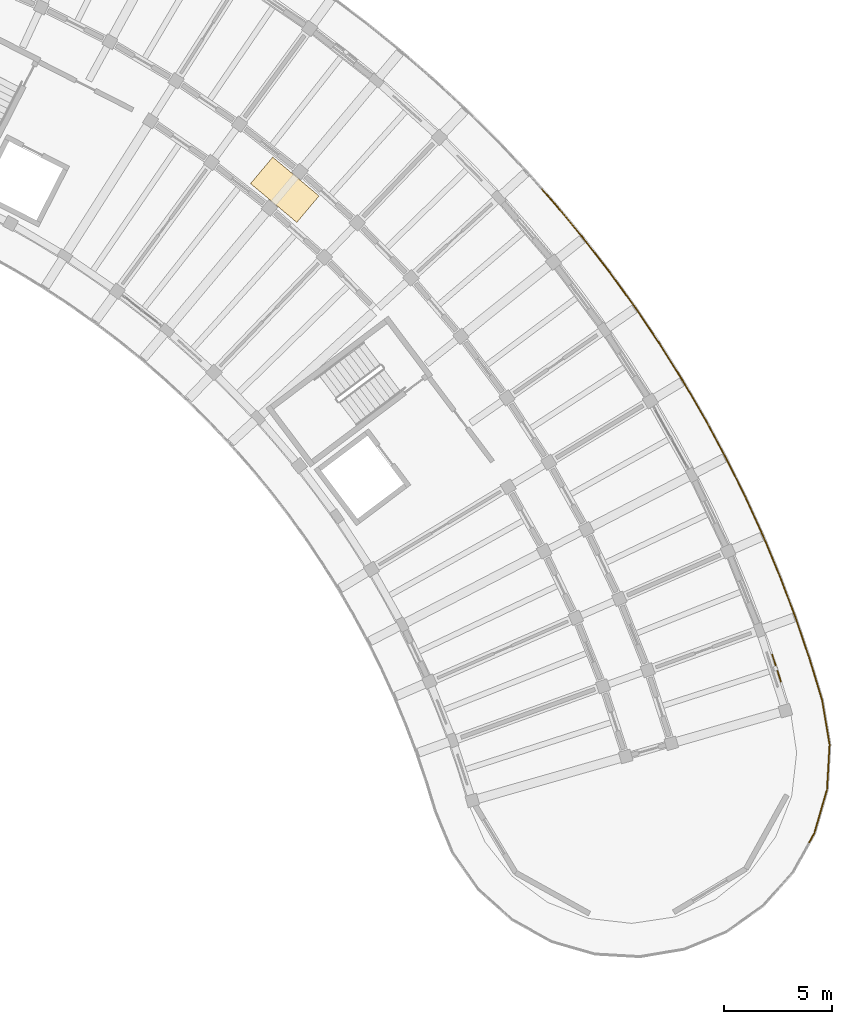
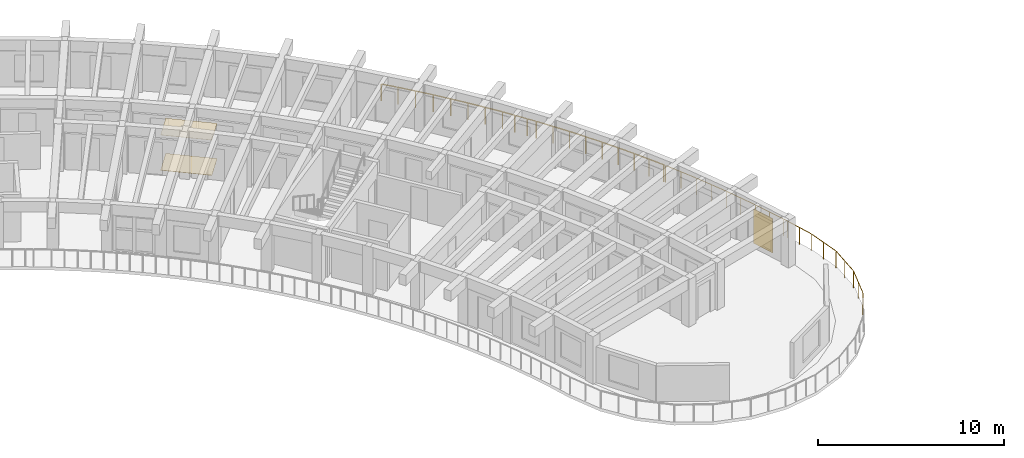
# One storey, part 76 of 78: 4 railings, 2 coverings, 1 shading device.
"""IFC4 building model written with IfcOpenShell, lengths in metres."""

from ifc_helpers import new_model, si_unit, direction, frame, origin, origin_2d, place, context, subcontext, project, spatial, rectangle, circle, extrude, material, layer, layer_set, type_object, element, save


model = new_model("IFC4")

# Units and contexts
model_context = context("Model", 3, precision=1e-05, world=origin(), true_north=direction((0.0, 1.0)))
body_context = subcontext(model_context, "Body", "Model", "MODEL_VIEW")
ifc_project = project(units=[si_unit("LENGTHUNIT", "METRE"), si_unit("AREAUNIT", "SQUARE_METRE"), si_unit("VOLUMEUNIT", "CUBIC_METRE"), si_unit("PLANEANGLEUNIT", "RADIAN"), si_unit("MASSUNIT", "GRAM", prefix="KILO")], contexts=[model_context])

# Site, building, storey
site_placement = place(None, origin())
site = spatial("IfcSite", under=ifc_project, at=site_placement, CompositionType="ELEMENT")
building_placement = place(site_placement, origin())
building = spatial("IfcBuilding", under=site, at=building_placement, Name="Tanwirah Colonnade Gardens", CompositionType="ELEMENT")
storey_placement = place(building_placement, frame((0.0, 0.0, 22.280029296875)))
storey = spatial("IfcBuildingStorey", under=building, at=storey_placement, Name="L06", CompositionType="ELEMENT", Elevation=22.280029296875)

# Railings
ifc_material_1 = material(Name="Precast concrete C40/50", Category="concrete")
railing_type = type_object("IfcRailingType", Name="BAL-EXT112", PredefinedType="BALUSTRADE", material=ifc_material_1)
railing_1_placement = place(storey_placement, frame((166.9609375, 100.77978515625, 0.0)))
element("IfcRailing", 1, at=railing_1_placement, inside=storey, type_object=railing_type, Name="Block B L06 Balcony Ribbon Balustrade 16", PredefinedType="BALUSTRADE", context=body_context, shape_type="SweptSolid", body=[
    extrude(circle(Radius=0.02392578125, at=origin_2d()), frame((0.020751953125, -0.0234375, 1.09619140625), z_axis=(0.662540558748, -0.74902603961, 0.0), x_axis=(0.74902603961, 0.662540558748, 0.0)), (0.0, 0.0, 1.0), 0.885986328125),
    extrude(circle(Radius=0.02392578125, at=origin_2d()), frame((0.6484375, -0.734619140625, 1.09619140625), z_axis=(0.637555355491, -0.770404548717, 0.0), x_axis=(0.770404548717, 0.637555355491, 0.0)), (0.0, 0.0, 1.0), 1.958984375),
    extrude(circle(Radius=0.02392578125, at=origin_2d()), frame((1.936279296875, -2.29248046875, 1.09619140625), z_axis=(0.611856467608, -0.790968812942, 0.0), x_axis=(0.790968812942, 0.611856467608, 0.0)), (0.0, 0.0, 1.0), 1.958984375),
    extrude(circle(Radius=0.02392578125, at=origin_2d()), frame((3.17236328125, -3.89208984375, 1.09619140625), z_axis=(0.585468507287, -0.810695150457, 0.0), x_axis=(0.810695150457, 0.585468507287, 0.0)), (0.0, 0.0, 1.0), 1.958984375),
    extrude(circle(Radius=0.02392578125, at=origin_2d()), frame((4.35498046875, -5.531494140625, 1.09619140625), z_axis=(0.558332900228, -0.829617003516, 0.0), x_axis=(0.829617003516, 0.558332900228, 0.0)), (0.0, 0.0, 1.0), 1.424072265625),
    extrude(circle(Radius=0.02099609375, at=origin_2d()), origin(), (0.0, 0.0, 1.0), 1.069091796875),
    extrude(circle(Radius=0.02099609375, at=origin_2d()), frame((0.62841796875, -0.71044921875, 0.0)), (0.0, 0.0, 1.0), 1.069091796875),
    extrude(circle(Radius=0.02099609375, at=origin_2d()), frame((1.27294921875, -1.4892578125, 0.0)), (0.0, 0.0, 1.0), 1.069091796875),
    extrude(circle(Radius=0.02099609375, at=origin_2d()), frame((1.917236328125, -2.267822265625, 0.0)), (0.0, 0.0, 1.0), 1.069091796875),
    extrude(circle(Radius=0.02099609375, at=origin_2d()), frame((2.53564453125, -3.0673828125, 0.0)), (0.0, 0.0, 1.0), 1.069091796875),
    extrude(circle(Radius=0.02099609375, at=origin_2d()), frame((3.154052734375, -3.86669921875, 0.0)), (0.0, 0.0, 1.0), 1.069091796875),
    extrude(circle(Radius=0.02099609375, at=origin_2d()), frame((3.745849609375, -4.68603515625, 0.0)), (0.0, 0.0, 1.0), 1.069091796875),
    extrude(circle(Radius=0.02099609375, at=origin_2d()), frame((4.337646484375, -5.505615234375, 0.0)), (0.0, 0.0, 1.0), 1.069091796875),
    extrude(circle(Radius=0.02099609375, at=origin_2d()), frame((4.752685546875, -6.122314453125, 0.0)), (0.0, 0.0, 1.0), 1.069091796875),
    extrude(circle(Radius=0.02099609375, at=origin_2d()), frame((5.167724609375, -6.739013671875, 0.0)), (0.0, 0.0, 1.0), 1.069091796875),
])
railing_2_placement = place(storey_placement, frame((172.128662109375, 94.040771484375, 0.0)))
element("IfcRailing", 2, at=railing_2_placement, inside=storey, type_object=railing_type, Name="Block B L06 Balcony Ribbon Balustrade 17", PredefinedType="BALUSTRADE", context=body_context, shape_type="SweptSolid", body=[
    extrude(circle(Radius=0.02392578125, at=origin_2d()), frame((0.017578125, -0.02587890625, 1.09619140625), z_axis=(0.558382411213, -0.829583680437, 0.0), x_axis=(0.829583680437, 0.558382411213, 0.0)), (0.0, 0.0, 1.0), 0.47216796875),
    extrude(circle(Radius=0.02392578125, at=origin_2d()), frame((0.315185546875, -0.47021484375, 1.09619140625), z_axis=(0.530812919598, -0.847489023167, 0.0), x_axis=(0.847489023167, 0.530812919598, 0.0)), (0.0, 0.0, 1.0), 1.958984375),
    extrude(circle(Radius=0.02392578125, at=origin_2d()), frame((1.38720703125, -2.183837890625, 1.09619140625), z_axis=(0.502421024862, -0.864623105045, 0.0), x_axis=(0.864623105045, 0.502421024862, 0.0)), (0.0, 0.0, 1.0), 1.958984375),
    extrude(circle(Radius=0.02392578125, at=origin_2d()), frame((2.402099609375, -3.93212890625, 1.09619140625), z_axis=(0.473826102441, -0.88061843306, 0.0), x_axis=(0.88061843306, 0.473826102441, 0.0)), (0.0, 0.0, 1.0), 1.958740234375),
    extrude(circle(Radius=0.02392578125, at=origin_2d()), frame((3.35888671875, -5.712646484375, 1.09619140625), z_axis=(0.444437722231, -0.895809751598, 0.0), x_axis=(0.895809751598, 0.444437722231, 0.0)), (0.0, 0.0, 1.0), 1.838623046875),
    extrude(circle(Radius=0.02099609375, at=origin_2d()), origin(), (0.0, 0.0, 1.0), 1.069091796875),
    extrude(circle(Radius=0.02099609375, at=origin_2d()), frame((0.298583984375, -0.443603515625, 0.0)), (0.0, 0.0, 1.0), 1.069091796875),
    extrude(circle(Radius=0.02099609375, at=origin_2d()), frame((0.8349609375, -1.30029296875, 0.0)), (0.0, 0.0, 1.0), 1.069091796875),
    extrude(circle(Radius=0.02099609375, at=origin_2d()), frame((1.37158203125, -2.15673828125, 0.0)), (0.0, 0.0, 1.0), 1.069091796875),
    extrude(circle(Radius=0.02099609375, at=origin_2d()), frame((1.87939453125, -3.03076171875, 0.0)), (0.0, 0.0, 1.0), 1.069091796875),
    extrude(circle(Radius=0.02099609375, at=origin_2d()), frame((2.38720703125, -3.904541015625, 0.0)), (0.0, 0.0, 1.0), 1.069091796875),
    extrude(circle(Radius=0.02099609375, at=origin_2d()), frame((2.8662109375, -4.79443359375, 0.0)), (0.0, 0.0, 1.0), 1.069091796875),
    extrude(circle(Radius=0.02099609375, at=origin_2d()), frame((3.344970703125, -5.6845703125, 0.0)), (0.0, 0.0, 1.0), 1.069091796875),
    extrude(circle(Radius=0.02099609375, at=origin_2d()), frame((3.767578125, -6.5361328125, 0.0)), (0.0, 0.0, 1.0), 1.069091796875),
    extrude(circle(Radius=0.02099609375, at=origin_2d()), frame((4.18994140625, -7.3876953125, 0.0)), (0.0, 0.0, 1.0), 1.069091796875),
])
railing_3_placement = place(storey_placement, frame((176.318603515625, 86.653076171875, 0.0)))
element("IfcRailing", 3, at=railing_3_placement, inside=storey, type_object=railing_type, Name="Block B L06 Balcony Ribbon Balustrade 18", PredefinedType="BALUSTRADE", context=body_context, shape_type="SweptSolid", body=[
    extrude(circle(Radius=0.02392578125, at=origin_2d()), frame((0.013916015625, -0.028076171875, 1.09619140625), z_axis=(0.443967059849, -0.896043107093, 0.0), x_axis=(0.896043107093, 0.443967059849, 0.0)), (0.0, 0.0, 1.0), 0.057861328125),
    extrude(circle(Radius=0.02392578125, at=origin_2d()), frame((0.06640625, -0.136474609375, 1.09619140625), z_axis=(0.414749084938, -0.909935820013, 0.0), x_axis=(0.909935820013, 0.414749084938, 0.0)), (0.0, 0.0, 1.0), 1.958984375),
    extrude(circle(Radius=0.02392578125, at=origin_2d()), frame((0.90380859375, -1.97607421875, 1.09619140625), z_axis=(0.384409566544, -0.92316265368, 0.0), x_axis=(0.92316265368, 0.384409566544, 0.0)), (0.0, 0.0, 1.0), 1.958984375),
    extrude(circle(Radius=0.02392578125, at=origin_2d()), frame((1.679931640625, -3.8427734375, 1.09619140625), z_axis=(0.353874964852, -0.935292739869, 0.0), x_axis=(0.935292739869, 0.353874964852, 0.0)), (0.0, 0.0, 1.0), 1.958984375),
    extrude(circle(Radius=0.02392578125, at=origin_2d()), frame((2.394287109375, -5.733642578125, 1.09619140625), z_axis=(0.322850987486, -0.946449808431, 0.0), x_axis=(0.946449808431, 0.322850987486, 0.0)), (0.0, 0.0, 1.0), 1.958740234375),
    extrude(circle(Radius=0.02392578125, at=origin_2d()), frame((3.0458984375, -7.647216796875, 1.09619140625), z_axis=(0.290930071213, -0.956744319902, 0.0), x_axis=(0.956744319902, 0.290930071213, 0.0)), (0.0, 0.0, 1.0), 0.231201171875),
    extrude(circle(Radius=0.02099609375, at=origin_2d()), origin(), (0.0, 0.0, 1.0), 1.069091796875),
    extrude(circle(Radius=0.02099609375, at=origin_2d()), frame((0.053466796875, -0.10791015625, 0.0)), (0.0, 0.0, 1.0), 1.069091796875),
    extrude(circle(Radius=0.02099609375, at=origin_2d()), frame((0.47265625, -1.027587890625, 0.0)), (0.0, 0.0, 1.0), 1.069091796875),
    extrude(circle(Radius=0.02099609375, at=origin_2d()), frame((0.891845703125, -1.947265625, 0.0)), (0.0, 0.0, 1.0), 1.069091796875),
    extrude(circle(Radius=0.02099609375, at=origin_2d()), frame((1.2802734375, -2.88037109375, 0.0)), (0.0, 0.0, 1.0), 1.069091796875),
    extrude(circle(Radius=0.02099609375, at=origin_2d()), frame((1.6689453125, -3.8134765625, 0.0)), (0.0, 0.0, 1.0), 1.069091796875),
    extrude(circle(Radius=0.02099609375, at=origin_2d()), frame((2.026611328125, -4.7587890625, 0.0)), (0.0, 0.0, 1.0), 1.069091796875),
    extrude(circle(Radius=0.02099609375, at=origin_2d()), frame((2.38427734375, -5.7041015625, 0.0)), (0.0, 0.0, 1.0), 1.069091796875),
    extrude(circle(Radius=0.02099609375, at=origin_2d()), frame((2.71044921875, -6.66064453125, 0.0)), (0.0, 0.0, 1.0), 1.069091796875),
    extrude(circle(Radius=0.02099609375, at=origin_2d()), frame((3.036865234375, -7.6171875, 0.0)), (0.0, 0.0, 1.0), 1.069091796875),
    extrude(circle(Radius=0.02099609375, at=origin_2d()), frame((3.122314453125, -7.898193359375, 0.0)), (0.0, 0.0, 1.0), 1.069091796875),
])
railing_4_placement = place(storey_placement, frame((179.44091796875, 78.7548828125, 0.0)))
element("IfcRailing", 4, at=railing_4_placement, inside=storey, type_object=railing_type, Name="Block B L06 Balcony Ribbon Balustrade 19", PredefinedType="BALUSTRADE", context=body_context, shape_type="SweptSolid", body=[
    extrude(circle(Radius=0.02392578125, at=origin_2d()), frame((0.009033203125, -0.02978515625, 1.09619140625), z_axis=(0.29143772277, -0.956589804329, 0.0), x_axis=(0.956589804329, 0.29143772277, 0.0)), (0.0, 0.0, 1.0), 1.661376953125),
    extrude(circle(Radius=0.02392578125, at=origin_2d()), frame((0.507568359375, -1.679931640625, 1.09619140625), z_axis=(0.166292387508, -0.986076488847, 0.0), x_axis=(0.986076488847, 0.166292387508, 0.0)), (0.0, 0.0, 1.0), 2.028076171875),
    extrude(circle(Radius=0.02392578125, at=origin_2d()), frame((0.848388671875, -3.741943359375, 1.09619140625), z_axis=(-0.057322977065, -0.998355686266, 0.0), x_axis=(0.998355686266, -0.057322977065, 0.0)), (0.0, 0.0, 1.0), 2.0244140625),
    extrude(circle(Radius=0.02392578125, at=origin_2d()), frame((0.7216796875, -5.82421875, 1.09619140625), z_axis=(-0.277964335026, -0.960591395159, 0.0), x_axis=(0.960591395159, -0.277964335026, 0.0)), (0.0, 0.0, 1.0), 2.0244140625),
    extrude(circle(Radius=0.02392578125, at=origin_2d()), frame((0.13525390625, -7.826171875, 1.09619140625), z_axis=(-0.48479192052, -0.874629518024, 0.0), x_axis=(0.874629518024, -0.48479192052, 0.0)), (0.0, 0.0, 1.0), 0.44921875),
    extrude(circle(Radius=0.02099609375, at=origin_2d()), origin(), (0.0, 0.0, 1.0), 1.069091796875),
    extrude(circle(Radius=0.02099609375, at=origin_2d()), frame((0.251220703125, -0.82470703125, 0.0)), (0.0, 0.0, 1.0), 1.069091796875),
    extrude(circle(Radius=0.02099609375, at=origin_2d()), frame((0.50244140625, -1.649169921875, 0.0)), (0.0, 0.0, 1.0), 1.069091796875),
    extrude(circle(Radius=0.02099609375, at=origin_2d()), frame((0.67626953125, -2.679931640625, 0.0)), (0.0, 0.0, 1.0), 1.069091796875),
    extrude(circle(Radius=0.02099609375, at=origin_2d()), frame((0.85009765625, -3.710693359375, 0.0)), (0.0, 0.0, 1.0), 1.069091796875),
    extrude(circle(Radius=0.02099609375, at=origin_2d()), frame((0.790283203125, -4.75244140625, 0.0)), (0.0, 0.0, 1.0), 1.069091796875),
    extrude(circle(Radius=0.02099609375, at=origin_2d()), frame((0.73046875, -5.794189453125, 0.0)), (0.0, 0.0, 1.0), 1.069091796875),
    extrude(circle(Radius=0.02099609375, at=origin_2d()), frame((0.4404296875, -6.79638671875, 0.0)), (0.0, 0.0, 1.0), 1.069091796875),
    extrude(circle(Radius=0.02099609375, at=origin_2d()), frame((0.150390625, -7.798828125, 0.0)), (0.0, 0.0, 1.0), 1.069091796875),
    extrude(circle(Radius=0.02099609375, at=origin_2d()), frame((-0.09765625, -8.246337890625, 0.0)), (0.0, 0.0, 1.0), 1.069091796875),
])

# Coverings
ifc_material_2 = material(Name="Acoustic perforated gypsum ceiling board")
ifc_layer_1 = layer(ifc_material_2, 0.014892578125)
ifc_layer_set_1 = layer_set([ifc_layer_1], Name="Acoustic perforated gypsum ceiling board")
covering_type_1 = type_object("IfcCoveringType", Name="COV-CEIL15", PredefinedType="CEILING", material=ifc_layer_set_1)
covering_1_placement = place(storey_placement, frame((155.03564453125, 100.761962890625, 2.3125), z_axis=(0.0, 0.0, 1.0), x_axis=(-0.766044443119, 0.642787609687, 0.0)))
element("IfcCovering", 5, at=covering_1_placement, inside=storey, type_object=covering_type_1, Name="Block B L06 Corridor Acoustic Ceiling", PredefinedType="CEILING", context=body_context, shape_type="SweptSolid", body=[
    extrude(rectangle(XDim=2.800048828125, YDim=1.60009765625, at=origin_2d()), origin(), (0.0, 0.0, 1.0), 0.014892578125),
])
ifc_material_3 = material(Name="Honed Abu Dhabi limestone terrazzo flooring", Category="masonry")
ifc_layer_2 = layer(ifc_material_3, 0.02001953125)
ifc_layer_set_2 = layer_set([ifc_layer_2], Name="Honed Abu Dhabi limestone terrazzo flooring")
covering_type_2 = type_object("IfcCoveringType", Name="COV-FLR20", PredefinedType="FLOORING", material=ifc_layer_set_2)
covering_2_placement = place(storey_placement, frame((155.03564453125, 100.761962890625, 0.0), z_axis=(0.0, 0.0, 1.0), x_axis=(-0.766044443119, 0.642787609687, 0.0)))
element("IfcCovering", 6, at=covering_2_placement, inside=storey, type_object=covering_type_2, Name="Block B L06 Corridor Terrazzo Flooring", PredefinedType="FLOORING", context=body_context, shape_type="SweptSolid", body=[
    extrude(rectangle(XDim=2.800048828125, YDim=1.60009765625, at=origin_2d()), origin(), (0.0, 0.0, 1.0), 0.02001953125),
])

# Shading device
ifc_material_4 = material(Name="Perforated architectural bronze aluminium", Category="aluminium")
ifc_layer_3 = layer(ifc_material_4, 0.044921875)
ifc_layer_set_3 = layer_set([ifc_layer_3], Name="Perforated architectural bronze aluminium")
shading_device_type = type_object("IfcShadingDeviceType", Name="SHD-MSH1", PredefinedType="JALOUSIE", material=ifc_layer_set_3)
shading_device_placement = place(storey_placement, frame((177.831787109375, 78.588623046875, 0.0), z_axis=(0.0, 0.0, 1.0), x_axis=(-0.307171739363, 0.951654098156, 0.0)))
element("IfcShadingDevice", 7, at=shading_device_placement, inside=storey, type_object=shading_device_type, Name="Bronze mashrabiya solar screen B-L06-00", PredefinedType="JALOUSIE", context=body_context, shape_type="SweptSolid", body=[
    extrude(rectangle(XDim=1.35009765625, YDim=0.044921875, at=origin_2d()), origin(), (0.0, 0.0, 1.0), 2.25),
])

save(model, "model.ifc")
